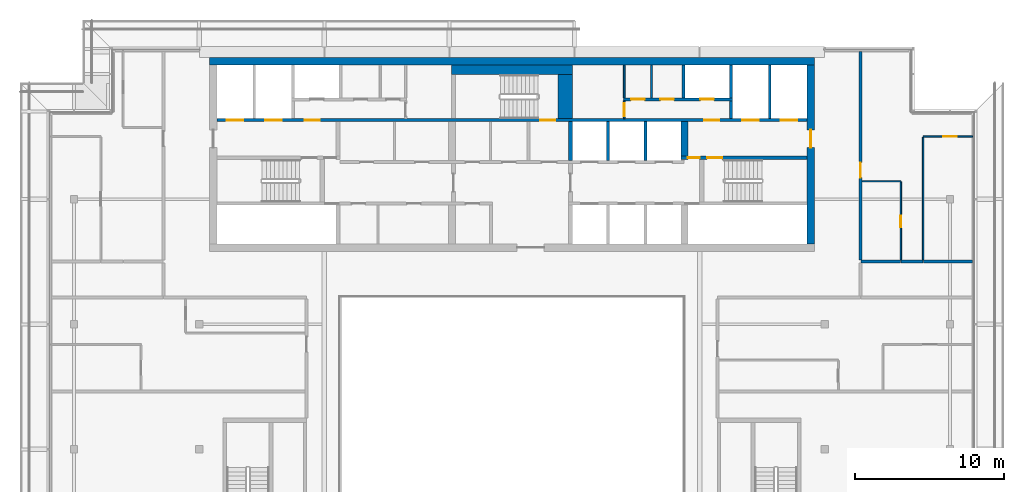
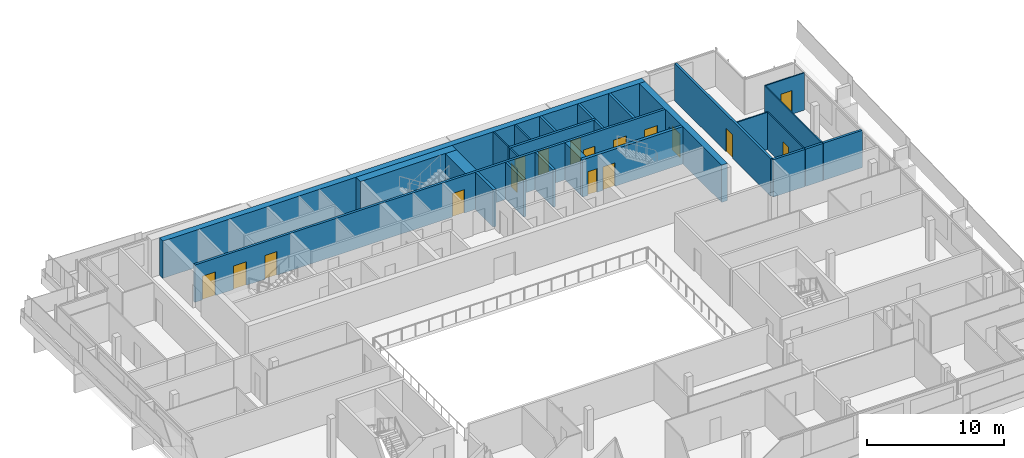
# One storey, part 20 of 26: 26 walls, 17 doors, 17 openings.
"""IFC4 building model written with IfcOpenShell, lengths in metres."""

from ifc_helpers import new_model, si_unit, direction, frame, frame_2d, origin, place, context, subcontext, project, spatial, rectangle, extrude, material, layer, layer_set, type_object, element, fill, save


model = new_model("IFC4")

# Units and contexts
model_context = context("Model", 3, precision=1e-05, world=origin(), true_north=direction((0.0, 1.0)))
body_context = subcontext(model_context, "Body", "Model", "MODEL_VIEW")
ifc_project = project(units=[si_unit("LENGTHUNIT", "METRE"), si_unit("AREAUNIT", "SQUARE_METRE"), si_unit("VOLUMEUNIT", "CUBIC_METRE"), si_unit("PLANEANGLEUNIT", "RADIAN"), si_unit("MASSUNIT", "GRAM", prefix="KILO")], contexts=[model_context])

# Site, building, storey
site_placement = place(None, origin())
site = spatial("IfcSite", under=ifc_project, at=site_placement, CompositionType="ELEMENT")
building_placement = place(site_placement, origin())
building = spatial("IfcBuilding", under=site, at=building_placement, Name="Saffron Gate Tower", CompositionType="ELEMENT")
storey_placement = place(building_placement, frame((0.0, 0.0, 277.949951171875)))
storey = spatial("IfcBuildingStorey", under=building, at=storey_placement, Name="L67", CompositionType="ELEMENT", Elevation=277.949951171875)

# Wall
ifc_material_1 = material(Name="Concrete C50", Category="concrete")
ifc_layer_1 = layer(ifc_material_1, 0.5)
ifc_layer_set_1 = layer_set([ifc_layer_1], Name="CW22 RC core wall 500 C50")
wall_type_1 = type_object("IfcWallType", Name="CW22 RC core wall 500 C50", PredefinedType="SOLIDWALL", material=ifc_layer_set_1)
wall_1_placement = place(storey_placement, frame((67.300048828125, 74.64990234375, 0.0), z_axis=(0.0, 0.0, 1.0), x_axis=(1.0, 0.0, 0.0)))
element("IfcWall", 1, at=wall_1_placement, inside=storey, type_object=wall_type_1, Name="Wall CW22-L67-2", PredefinedType="SOLIDWALL", context=body_context, shape_type="SweptSolid", body=[
    extrude(rectangle(XDim=40.599853515625, YDim=0.5, at=frame_2d((20.2998046875, 0.0))), origin(), (0.0, 0.0, 1.0), 3.320068359375),
])

# Wall, opening, door
wall_2_placement = place(storey_placement, frame((107.64990234375, 62.39990234375, 0.0), z_axis=(0.0, 0.0, 1.0), x_axis=(0.0, 1.0, 0.0)))
wall_2 = element("IfcWall", 2, at=wall_2_placement, inside=storey, type_object=wall_type_1, Name="Wall CW22-L67-4", PredefinedType="SOLIDWALL", context=body_context, shape_type="SweptSolid", body=[
    extrude(rectangle(XDim=12.0, YDim=0.5, at=frame_2d((6.0, 0.0))), origin(), (0.0, 0.0, 1.0), 3.320068359375),
])
opening_1_placement = place(wall_2_placement, frame((6.449951171875, 0.0, 0.0)))
opening_1 = element("IfcOpeningElement", 3, at=opening_1_placement, cuts=wall_2, Name="Opening CR-08", PredefinedType="OPENING", context=body_context, shape_type="SweptSolid", body=[
    extrude(rectangle(XDim=1.199951171875, YDim=2.10009765625, at=frame_2d((0.60009765625, 1.050048828125))), frame((0.0, 0.260009765625, 0.0), z_axis=(0.0, -1.0, 0.0), x_axis=(1.0, 0.0, 0.0)), (0.0, 0.0, 1.0), 0.52001953125),
])
ifc_material_2 = material(Name="Steel fire door set", Category="steel")
door_type_1 = type_object("IfcDoorType", Name="CD7 Core entrance door 1200x2100 EI 120", OperationType="NOTDEFINED", PredefinedType="DOOR", material=ifc_material_2)
door_1_placement = place(opening_1_placement, origin())
door_1 = element("IfcDoor", 4, at=door_1_placement, inside=storey, type_object=door_type_1, Name="DOOR CR-08", OperationType="SINGLE_SWING_RIGHT", OverallHeight=2.10009765625, OverallWidth=1.199951171875, PredefinedType="DOOR", context=body_context, shape_type="SweptSolid", body=[
    extrude(rectangle(XDim=1.199951171875, YDim=2.10009765625, at=frame_2d((0.60009765625, 1.050048828125))), frame((0.0, 0.02490234375, 0.0), z_axis=(0.0, -1.0, 0.0), x_axis=(1.0, 0.0, 0.0)), (0.0, 0.0, 1.0), 0.050048828125),
])
fill(opening_1, door_1)

# Wall
ifc_layer_2 = layer(ifc_material_1, 0.25)
ifc_layer_set_2 = layer_set([ifc_layer_2], Name="CW23 RC core wall 250 C50")
wall_type_2 = type_object("IfcWallType", Name="CW23 RC core wall 250 C50", PredefinedType="SOLIDWALL", material=ifc_layer_set_2)
wall_3_placement = place(storey_placement, frame((91.52490234375, 68.0, 0.0), z_axis=(0.0, 0.0, 1.0), x_axis=(0.0, 1.0, 0.0)))
element("IfcWall", 5, at=wall_3_placement, inside=storey, type_object=wall_type_2, Name="Wall CW23-L67-24", PredefinedType="SOLIDWALL", context=body_context, shape_type="SweptSolid", body=[
    extrude(rectangle(XDim=2.60009765625, YDim=0.25, at=frame_2d((1.300048828125, 0.0))), origin(), (0.0, 0.0, 1.0), 3.320068359375),
])

# Wall, openings, doors
wall_4_placement = place(storey_placement, frame((98.949951171875, 68.175048828125, 0.0), z_axis=(0.0, 0.0, 1.0), x_axis=(1.0, 0.0, 0.0)))
wall_4 = element("IfcWall", 6, at=wall_4_placement, inside=storey, type_object=wall_type_2, Name="Wall CW23-L67-29", PredefinedType="SOLIDWALL", context=body_context, shape_type="SweptSolid", body=[
    extrude(rectangle(XDim=8.449951171875, YDim=0.25, at=frame_2d((4.22509765625, 0.0))), origin(), (0.0, 0.0, 1.0), 3.320068359375),
])
opening_2_placement = place(wall_4_placement, frame((0.449951171875, 0.0, 0.0)))
opening_2 = element("IfcOpeningElement", 7, at=opening_2_placement, cuts=wall_4, Name="Opening CR-05", PredefinedType="OPENING", context=body_context, shape_type="SweptSolid", body=[
    extrude(rectangle(XDim=0.800048828125, YDim=2.10009765625, at=frame_2d((0.39990234375, 1.050048828125))), frame((0.0, 0.135009765625, 0.0), z_axis=(0.0, -1.0, 0.0), x_axis=(1.0, 0.0, 0.0)), (0.0, 0.0, 1.0), 0.27001953125),
])
opening_3_placement = place(wall_4_placement, frame((1.75, 0.0, 0.0)))
opening_3 = element("IfcOpeningElement", 8, at=opening_3_placement, cuts=wall_4, Name="Opening CR-16", PredefinedType="OPENING", context=body_context, shape_type="SweptSolid", body=[
    extrude(rectangle(XDim=1.0, YDim=2.10009765625, at=frame_2d((0.5, 1.050048828125))), frame((0.0, 0.135009765625, 0.0), z_axis=(0.0, -1.0, 0.0), x_axis=(1.0, 0.0, 0.0)), (0.0, 0.0, 1.0), 0.27001953125),
])
door_type_2 = type_object("IfcDoorType", Name="CD5 Stair door 1000x2100 EI 120", OperationType="NOTDEFINED", PredefinedType="DOOR", material=ifc_material_2)
door_2_placement = place(opening_3_placement, origin())
door_2 = element("IfcDoor", 9, at=door_2_placement, inside=storey, type_object=door_type_2, Name="DOOR CR-16", OperationType="SINGLE_SWING_RIGHT", OverallHeight=2.10009765625, OverallWidth=1.0, PredefinedType="DOOR", context=body_context, shape_type="SweptSolid", body=[
    extrude(rectangle(XDim=1.0, YDim=2.10009765625, at=frame_2d((0.5, 1.050048828125))), frame((0.0, 0.02490234375, 0.0), z_axis=(0.0, -1.0, 0.0), x_axis=(1.0, 0.0, 0.0)), (0.0, 0.0, 1.0), 0.050048828125),
])
fill(opening_3, door_2)
door_type_3 = type_object("IfcDoorType", Name="CD6 Lobby door 800x2100 EI 120", OperationType="NOTDEFINED", PredefinedType="DOOR", material=ifc_material_2)
door_3_placement = place(opening_2_placement, origin())
door_3 = element("IfcDoor", 10, at=door_3_placement, inside=storey, type_object=door_type_3, Name="DOOR CR-05", OperationType="SINGLE_SWING_LEFT", OverallHeight=2.10009765625, OverallWidth=0.800048828125, PredefinedType="DOOR", context=body_context, shape_type="SweptSolid", body=[
    extrude(rectangle(XDim=0.800048828125, YDim=2.10009765625, at=frame_2d((0.39990234375, 1.050048828125))), frame((0.0, 0.02490234375, 0.0), z_axis=(0.0, -1.0, 0.0), x_axis=(1.0, 0.0, 0.0)), (0.0, 0.0, 1.0), 0.050048828125),
])
fill(opening_2, door_3)

# Walls
ifc_layer_3 = layer(ifc_material_1, 0.449951171875)
ifc_layer_set_3 = layer_set([ifc_layer_3], Name="CW24 RC core wall 450 C50")
wall_type_3 = type_object("IfcWallType", Name="CW24 RC core wall 450 C50", PredefinedType="SOLIDWALL", material=ifc_layer_set_3)
wall_5_placement = place(storey_placement, frame((99.175048828125, 68.300048828125, 0.0), z_axis=(0.0, 0.0, 1.0), x_axis=(0.0, 1.0, 0.0)))
element("IfcWall", 11, at=wall_5_placement, inside=storey, type_object=wall_type_3, Name="Wall CW24-L67-31", PredefinedType="SOLIDWALL", context=body_context, shape_type="SweptSolid", body=[
    extrude(rectangle(XDim=2.300048828125, YDim=0.449951171875, at=frame_2d((1.14990234375, 0.0))), origin(), (0.0, 0.0, 1.0), 3.320068359375),
])
ifc_layer_4 = layer(ifc_material_1, 0.199951171875)
ifc_layer_set_4 = layer_set([ifc_layer_4], Name="CW25 RC core wall 200 C50")
wall_type_4 = type_object("IfcWallType", Name="CW25 RC core wall 200 C50", PredefinedType="SOLIDWALL", material=ifc_layer_set_4)
for number, where, z_axis, x_axis, name in (
    (12, (94.050048828125, 68.0, 0.0), (0.0, 0.0, 1.0), (0.0, 1.0, 0.0), "Wall CW25-L67-25"),
    (13, (96.550048828125, 68.0, 0.0), (0.0, 0.0, 1.0), (0.0, 1.0, 0.0), "Wall CW25-L67-26"),
):
    element("IfcWall", number, at=place(storey_placement, frame(where, z_axis=z_axis, x_axis=x_axis)), inside=storey, type_object=wall_type_4, Name=name, PredefinedType="SOLIDWALL", context=body_context, shape_type="SweptSolid", body=[
        extrude(rectangle(XDim=2.60009765625, YDim=0.199951171875, at=frame_2d((1.300048828125, 0.0))), origin(), (0.0, 0.0, 1.0), 3.320068359375),
    ])

# Wall, openings, doors
wall_6_placement = place(storey_placement, frame((67.800048828125, 70.699951171875, 0.0), z_axis=(0.0, 0.0, 1.0), x_axis=(1.0, 0.0, 0.0)))
wall_6 = element("IfcWall", 14, at=wall_6_placement, inside=storey, type_object=wall_type_4, Name="Wall CW25-L67-32", PredefinedType="SOLIDWALL", context=body_context, shape_type="SweptSolid", body=[
    extrude(rectangle(XDim=39.599853515625, YDim=0.199951171875, at=frame_2d((19.7998046875, 0.0))), origin(), (0.0, 0.0, 1.0), 3.320068359375),
])
opening_4_placement = place(wall_6_placement, frame((0.64990234375, 0.0, 0.0)))
opening_4 = element("IfcOpeningElement", 15, at=opening_4_placement, cuts=wall_6, Name="Opening LD-FF1", PredefinedType="OPENING", context=body_context, shape_type="SweptSolid", body=[
    extrude(rectangle(XDim=1.10009765625, YDim=2.10009765625, at=frame_2d((0.550048828125, 1.050048828125))), frame((0.0, 0.10986328125, 0.0), z_axis=(0.0, -1.0, 0.0), x_axis=(1.0, 0.0, 0.0)), (0.0, 0.0, 1.0), 0.219970703125),
])
opening_5_placement = place(wall_6_placement, frame((3.25, 0.0, 0.0)))
opening_5 = element("IfcOpeningElement", 16, at=opening_5_placement, cuts=wall_6, Name="Opening LD-SV1", PredefinedType="OPENING", context=body_context, shape_type="SweptSolid", body=[
    extrude(rectangle(XDim=1.10009765625, YDim=2.10009765625, at=frame_2d((0.550048828125, 1.050048828125))), frame((0.0, 0.10986328125, 0.0), z_axis=(0.0, -1.0, 0.0), x_axis=(1.0, 0.0, 0.0)), (0.0, 0.0, 1.0), 0.219970703125),
])
opening_6_placement = place(wall_6_placement, frame((5.89990234375, 0.0, 0.0)))
opening_6 = element("IfcOpeningElement", 17, at=opening_6_placement, cuts=wall_6, Name="Opening CR-03", PredefinedType="OPENING", context=body_context, shape_type="SweptSolid", body=[
    extrude(rectangle(XDim=1.0, YDim=2.10009765625, at=frame_2d((0.5, 1.050048828125))), frame((0.0, 0.10986328125, 0.0), z_axis=(0.0, -1.0, 0.0), x_axis=(1.0, 0.0, 0.0)), (0.0, 0.0, 1.0), 0.219970703125),
])
opening_7_placement = place(wall_6_placement, frame((21.699951171875, 0.0, 0.0)))
opening_7 = element("IfcOpeningElement", 18, at=opening_7_placement, cuts=wall_6, Name="Opening CR-17", PredefinedType="OPENING", context=body_context, shape_type="SweptSolid", body=[
    extrude(rectangle(XDim=1.0, YDim=2.10009765625, at=frame_2d((0.5, 1.050048828125))), frame((0.0, 0.10986328125, 0.0), z_axis=(0.0, -1.0, 0.0), x_axis=(1.0, 0.0, 0.0)), (0.0, 0.0, 1.0), 0.219970703125),
])
opening_8_placement = place(wall_6_placement, frame((32.699951171875, 0.0, 0.0)))
opening_8 = element("IfcOpeningElement", 19, at=opening_8_placement, cuts=wall_6, Name="Opening CR-04", PredefinedType="OPENING", context=body_context, shape_type="SweptSolid", body=[
    extrude(rectangle(XDim=1.0, YDim=2.10009765625, at=frame_2d((0.5, 1.050048828125))), frame((0.0, 0.10986328125, 0.0), z_axis=(0.0, -1.0, 0.0), x_axis=(1.0, 0.0, 0.0)), (0.0, 0.0, 1.0), 0.219970703125),
])
opening_9_placement = place(wall_6_placement, frame((35.25, 0.0, 0.0)))
opening_9 = element("IfcOpeningElement", 20, at=opening_9_placement, cuts=wall_6, Name="Opening LD-SV2", PredefinedType="OPENING", context=body_context, shape_type="SweptSolid", body=[
    extrude(rectangle(XDim=1.10009765625, YDim=2.10009765625, at=frame_2d((0.550048828125, 1.050048828125))), frame((0.0, 0.10986328125, 0.0), z_axis=(0.0, -1.0, 0.0), x_axis=(1.0, 0.0, 0.0)), (0.0, 0.0, 1.0), 0.219970703125),
])
opening_10_placement = place(wall_6_placement, frame((37.85009765625, 0.0, 0.0)))
opening_10 = element("IfcOpeningElement", 21, at=opening_10_placement, cuts=wall_6, Name="Opening LD-FF2", PredefinedType="OPENING", context=body_context, shape_type="SweptSolid", body=[
    extrude(rectangle(XDim=1.10009765625, YDim=2.10009765625, at=frame_2d((0.550048828125, 1.050048828125))), frame((0.0, 0.10986328125, 0.0), z_axis=(0.0, -1.0, 0.0), x_axis=(1.0, 0.0, 0.0)), (0.0, 0.0, 1.0), 0.219970703125),
])
door_type_4 = type_object("IfcDoorType", Name="CD4 Lobby door 1000x2100 EI 120", OperationType="NOTDEFINED", PredefinedType="DOOR", material=ifc_material_2)
door_4_placement = place(opening_6_placement, origin())
door_4 = element("IfcDoor", 22, at=door_4_placement, inside=storey, type_object=door_type_4, Name="DOOR CR-03", OperationType="SINGLE_SWING_LEFT", OverallHeight=2.10009765625, OverallWidth=1.0, PredefinedType="DOOR", context=body_context, shape_type="SweptSolid", body=[
    extrude(rectangle(XDim=1.0, YDim=2.10009765625, at=frame_2d((0.5, 1.050048828125))), frame((0.0, 0.02490234375, 0.0), z_axis=(0.0, -1.0, 0.0), x_axis=(1.0, 0.0, 0.0)), (0.0, 0.0, 1.0), 0.050048828125),
])
fill(opening_6, door_4)
door_5_placement = place(opening_8_placement, origin())
door_5 = element("IfcDoor", 23, at=door_5_placement, inside=storey, type_object=door_type_4, Name="DOOR CR-04", OperationType="SINGLE_SWING_RIGHT", OverallHeight=2.10009765625, OverallWidth=1.0, PredefinedType="DOOR", context=body_context, shape_type="SweptSolid", body=[
    extrude(rectangle(XDim=1.0, YDim=2.10009765625, at=frame_2d((0.5, 1.050048828125))), frame((0.0, 0.02490234375, 0.0), z_axis=(0.0, -1.0, 0.0), x_axis=(1.0, 0.0, 0.0)), (0.0, 0.0, 1.0), 0.050048828125),
])
fill(opening_8, door_5)
door_6_placement = place(opening_7_placement, origin())
door_6 = element("IfcDoor", 24, at=door_6_placement, inside=storey, type_object=door_type_2, Name="DOOR CR-17", OperationType="SINGLE_SWING_RIGHT", OverallHeight=2.10009765625, OverallWidth=1.0, PredefinedType="DOOR", context=body_context, shape_type="SweptSolid", body=[
    extrude(rectangle(XDim=1.0, YDim=2.10009765625, at=frame_2d((0.5, 1.050048828125))), frame((0.0, 0.02490234375, 0.0), z_axis=(0.0, -1.0, 0.0), x_axis=(1.0, 0.0, 0.0)), (0.0, 0.0, 1.0), 0.050048828125),
])
fill(opening_7, door_6)
ifc_material_3 = material(Name="Stainless steel landing door", Category="steel")
door_type_5 = type_object("IfcDoorType", Name="LD Lift landing door 1100x2100 EI 120", OperationType="SLIDING_TO_LEFT", PredefinedType="DOOR", material=ifc_material_3)
door_7_placement = place(opening_4_placement, origin())
door_7 = element("IfcDoor", 25, at=door_7_placement, inside=storey, type_object=door_type_5, Name="LANDING DOOR LD-FF1", OperationType="SLIDING_TO_RIGHT", OverallHeight=2.10009765625, OverallWidth=1.10009765625, PredefinedType="DOOR", context=body_context, shape_type="SweptSolid", body=[
    extrude(rectangle(XDim=1.10009765625, YDim=2.10009765625, at=frame_2d((0.550048828125, 1.050048828125))), frame((0.0, 0.02490234375, 0.0), z_axis=(0.0, -1.0, 0.0), x_axis=(1.0, 0.0, 0.0)), (0.0, 0.0, 1.0), 0.050048828125),
])
fill(opening_4, door_7)
door_8_placement = place(opening_5_placement, origin())
door_8 = element("IfcDoor", 26, at=door_8_placement, inside=storey, type_object=door_type_5, Name="LANDING DOOR LD-SV1", OperationType="SLIDING_TO_RIGHT", OverallHeight=2.10009765625, OverallWidth=1.10009765625, PredefinedType="DOOR", context=body_context, shape_type="SweptSolid", body=[
    extrude(rectangle(XDim=1.10009765625, YDim=2.10009765625, at=frame_2d((0.550048828125, 1.050048828125))), frame((0.0, 0.02490234375, 0.0), z_axis=(0.0, -1.0, 0.0), x_axis=(1.0, 0.0, 0.0)), (0.0, 0.0, 1.0), 0.050048828125),
])
fill(opening_5, door_8)
door_9_placement = place(opening_9_placement, origin())
door_9 = element("IfcDoor", 27, at=door_9_placement, inside=storey, type_object=door_type_5, Name="LANDING DOOR LD-SV2", OperationType="SLIDING_TO_RIGHT", OverallHeight=2.10009765625, OverallWidth=1.10009765625, PredefinedType="DOOR", context=body_context, shape_type="SweptSolid", body=[
    extrude(rectangle(XDim=1.10009765625, YDim=2.10009765625, at=frame_2d((0.550048828125, 1.050048828125))), frame((0.0, 0.02490234375, 0.0), z_axis=(0.0, -1.0, 0.0), x_axis=(1.0, 0.0, 0.0)), (0.0, 0.0, 1.0), 0.050048828125),
])
fill(opening_9, door_9)
door_10_placement = place(opening_10_placement, origin())
door_10 = element("IfcDoor", 28, at=door_10_placement, inside=storey, type_object=door_type_5, Name="LANDING DOOR LD-FF2", OperationType="SLIDING_TO_RIGHT", OverallHeight=2.10009765625, OverallWidth=1.10009765625, PredefinedType="DOOR", context=body_context, shape_type="SweptSolid", body=[
    extrude(rectangle(XDim=1.10009765625, YDim=2.10009765625, at=frame_2d((0.550048828125, 1.050048828125))), frame((0.0, 0.02490234375, 0.0), z_axis=(0.0, -1.0, 0.0), x_axis=(1.0, 0.0, 0.0)), (0.0, 0.0, 1.0), 0.050048828125),
])
fill(opening_10, door_10)

# Walls
wall_7_placement = place(storey_placement, frame((102.300048828125, 70.800048828125, 0.0), z_axis=(0.0, 0.0, 1.0), x_axis=(0.0, 1.0, 0.0)))
element("IfcWall", 29, at=wall_7_placement, inside=storey, type_object=wall_type_4, Name="Wall CW25-L67-39", PredefinedType="SOLIDWALL", context=body_context, shape_type="SweptSolid", body=[
    extrude(rectangle(XDim=1.199951171875, YDim=0.199951171875, at=frame_2d((0.60009765625, 0.0))), origin(), (0.0, 0.0, 1.0), 3.320068359375),
])
wall_8_placement = place(storey_placement, frame((104.89990234375, 70.800048828125, 0.0), z_axis=(0.0, 0.0, 1.0), x_axis=(0.0, 1.0, 0.0)))
element("IfcWall", 30, at=wall_8_placement, inside=storey, type_object=wall_type_4, Name="Wall CW25-L67-40", PredefinedType="SOLIDWALL", context=body_context, shape_type="SweptSolid", body=[
    extrude(rectangle(XDim=3.599853515625, YDim=0.199951171875, at=frame_2d((1.7998046875, 0.0))), origin(), (0.0, 0.0, 1.0), 3.320068359375),
])

# Wall, openings, doors
wall_9_placement = place(storey_placement, frame((95.080078125, 72.10009765625, 0.0), z_axis=(0.0, 0.0, 1.0), x_axis=(1.0, 0.0, 0.0)))
wall_9 = element("IfcWall", 31, at=wall_9_placement, inside=storey, type_object=wall_type_4, Name="Wall CW25-L67-42", PredefinedType="SOLIDWALL", context=body_context, shape_type="SweptSolid", body=[
    extrude(rectangle(XDim=7.31982421875, YDim=0.199951171875, at=frame_2d((3.659912109375, 0.0))), origin(), (0.0, 0.0, 1.0), 3.320068359375),
])
opening_11_placement = place(wall_9_placement, frame((0.52001953125, 0.0, 0.0)))
opening_11 = element("IfcOpeningElement", 32, at=opening_11_placement, cuts=wall_9, Name="Opening CR-50", PredefinedType="OPENING", context=body_context, shape_type="SweptSolid", body=[
    extrude(rectangle(XDim=0.89990234375, YDim=2.10009765625, at=frame_2d((0.449951171875, 1.050048828125))), frame((0.0, 0.10986328125, 0.0), z_axis=(0.0, -1.0, 0.0), x_axis=(1.0, 0.0, 0.0)), (0.0, 0.0, 1.0), 0.219970703125),
])
opening_12_placement = place(wall_9_placement, frame((2.47998046875, 0.0, 0.0)))
opening_12 = element("IfcOpeningElement", 33, at=opening_12_placement, cuts=wall_9, Name="Opening CR-53", PredefinedType="OPENING", context=body_context, shape_type="SweptSolid", body=[
    extrude(rectangle(XDim=0.89990234375, YDim=2.10009765625, at=frame_2d((0.449951171875, 1.050048828125))), frame((0.0, 0.10986328125, 0.0), z_axis=(0.0, -1.0, 0.0), x_axis=(1.0, 0.0, 0.0)), (0.0, 0.0, 1.0), 0.219970703125),
])
opening_13_placement = place(wall_9_placement, frame((5.169921875, 0.0, 0.0)))
opening_13 = element("IfcOpeningElement", 34, at=opening_13_placement, cuts=wall_9, Name="Opening CR-70", PredefinedType="OPENING", context=body_context, shape_type="SweptSolid", body=[
    extrude(rectangle(XDim=0.89990234375, YDim=2.10009765625, at=frame_2d((0.449951171875, 1.050048828125))), frame((0.0, 0.10986328125, 0.0), z_axis=(0.0, -1.0, 0.0), x_axis=(1.0, 0.0, 0.0)), (0.0, 0.0, 1.0), 0.219970703125),
])
door_type_6 = type_object("IfcDoorType", Name="CD2 Riser door 900x2100 EI 60", OperationType="NOTDEFINED", PredefinedType="DOOR", material=ifc_material_2)
door_11_placement = place(opening_13_placement, origin())
door_11 = element("IfcDoor", 35, at=door_11_placement, inside=storey, type_object=door_type_6, Name="DOOR CR-70", OperationType="SINGLE_SWING_LEFT", OverallHeight=2.10009765625, OverallWidth=0.89990234375, PredefinedType="DOOR", context=body_context, shape_type="SweptSolid", body=[
    extrude(rectangle(XDim=0.89990234375, YDim=2.10009765625, at=frame_2d((0.449951171875, 1.050048828125))), frame((0.0, 0.02490234375, 0.0), z_axis=(0.0, -1.0, 0.0), x_axis=(1.0, 0.0, 0.0)), (0.0, 0.0, 1.0), 0.050048828125),
])
fill(opening_13, door_11)
door_type_7 = type_object("IfcDoorType", Name="CD9 Room door 900x2100 EI 60", OperationType="NOTDEFINED", PredefinedType="DOOR", material=ifc_material_2)
door_12_placement = place(opening_11_placement, origin())
door_12 = element("IfcDoor", 36, at=door_12_placement, inside=storey, type_object=door_type_7, Name="DOOR CR-50", OperationType="SINGLE_SWING_LEFT", OverallHeight=2.10009765625, OverallWidth=0.89990234375, PredefinedType="DOOR", context=body_context, shape_type="SweptSolid", body=[
    extrude(rectangle(XDim=0.89990234375, YDim=2.10009765625, at=frame_2d((0.449951171875, 1.050048828125))), frame((0.0, 0.02490234375, 0.0), z_axis=(0.0, -1.0, 0.0), x_axis=(1.0, 0.0, 0.0)), (0.0, 0.0, 1.0), 0.050048828125),
])
fill(opening_11, door_12)
door_13_placement = place(opening_12_placement, origin())
door_13 = element("IfcDoor", 37, at=door_13_placement, inside=storey, type_object=door_type_7, Name="DOOR CR-53", OperationType="SINGLE_SWING_LEFT", OverallHeight=2.10009765625, OverallWidth=0.89990234375, PredefinedType="DOOR", context=body_context, shape_type="SweptSolid", body=[
    extrude(rectangle(XDim=0.89990234375, YDim=2.10009765625, at=frame_2d((0.449951171875, 1.050048828125))), frame((0.0, 0.02490234375, 0.0), z_axis=(0.0, -1.0, 0.0), x_axis=(1.0, 0.0, 0.0)), (0.0, 0.0, 1.0), 0.050048828125),
])
fill(opening_12, door_13)

# Walls
for number, where, z_axis, x_axis, name in (
    (38, (99.10009765625, 72.199951171875, 0.0), (0.0, 0.0, 1.0), (0.0, 1.0, 0.0), "Wall CW25-L67-49"),
    (39, (102.300048828125, 72.199951171875, 0.0), (0.0, 0.0, 1.0), (0.0, 1.0, 0.0), "Wall CW25-L67-50"),
):
    element("IfcWall", number, at=place(storey_placement, frame(where, z_axis=z_axis, x_axis=x_axis)), inside=storey, type_object=wall_type_4, Name=name, PredefinedType="SOLIDWALL", context=body_context, shape_type="SweptSolid", body=[
        extrude(rectangle(XDim=2.199951171875, YDim=0.199951171875, at=frame_2d((1.10009765625, 0.0))), origin(), (0.0, 0.0, 1.0), 3.320068359375),
    ])
ifc_layer_5 = layer(ifc_material_1, 0.949951171875)
ifc_layer_set_5 = layer_set([ifc_layer_5], Name="CW28 RC core wall 950 C50")
wall_type_5 = type_object("IfcWallType", Name="CW28 RC core wall 950 C50", PredefinedType="SOLIDWALL", material=ifc_layer_set_5)
wall_10_placement = place(storey_placement, frame((91.175048828125, 70.800048828125, 0.0), z_axis=(0.0, 0.0, 1.0), x_axis=(0.0, 1.0, 0.0)))
element("IfcWall", 40, at=wall_10_placement, inside=storey, type_object=wall_type_5, Name="Wall CW28-L67-37", PredefinedType="SOLIDWALL", context=body_context, shape_type="SweptSolid", body=[
    extrude(rectangle(XDim=2.949951171875, YDim=0.949951171875, at=frame_2d((1.47509765625, 0.0))), origin(), (0.0, 0.0, 1.0), 3.320068359375),
])
ifc_layer_6 = layer(ifc_material_1, 0.64990234375)
ifc_layer_set_6 = layer_set([ifc_layer_6], Name="CW29 RC core wall 650 C50")
wall_type_6 = type_object("IfcWallType", Name="CW29 RC core wall 650 C50", PredefinedType="SOLIDWALL", material=ifc_layer_set_6)
wall_11_placement = place(storey_placement, frame((83.550048828125, 74.074951171875, 0.0), z_axis=(0.0, 0.0, 1.0), x_axis=(1.0, 0.0, 0.0)))
element("IfcWall", 41, at=wall_11_placement, inside=storey, type_object=wall_type_6, Name="Wall CW29-L67-51", PredefinedType="SOLIDWALL", context=body_context, shape_type="SweptSolid", body=[
    extrude(rectangle(XDim=8.099853515625, YDim=0.64990234375, at=frame_2d((4.0498046875, 0.0))), origin(), (0.0, 0.0, 1.0), 3.320068359375),
])

# Wall, opening, door
ifc_material_4 = material(Name="Gypsum board partition on steel studs", Category="steel")
ifc_layer_7 = layer(ifc_material_4, 0.1201171875)
ifc_layer_set_7 = layer_set([ifc_layer_7], Name="CW8 Core partition 120")
wall_type_7 = type_object("IfcWallType", Name="CW8 Core partition 120", PredefinedType="PARTITIONING", material=ifc_layer_set_7)
wall_12_placement = place(storey_placement, frame((95.139892578125, 70.800048828125, 0.0), z_axis=(0.0, 0.0, 1.0), x_axis=(0.0, 1.0, 0.0)))
wall_12 = element("IfcWall", 42, at=wall_12_placement, inside=storey, type_object=wall_type_7, Name="Wall CW8-L67-38", PredefinedType="PARTITIONING", context=body_context, shape_type="SweptSolid", body=[
    extrude(rectangle(XDim=1.199951171875, YDim=0.1201171875, at=frame_2d((0.60009765625, 0.0))), origin(), (0.0, 0.0, 1.0), 3.320068359375),
])
opening_14_placement = place(wall_12_placement, frame((0.14990234375, 0.0, 0.0)))
opening_14 = element("IfcOpeningElement", 43, at=opening_14_placement, cuts=wall_12, Name="Opening CR-54", PredefinedType="OPENING", context=body_context, shape_type="SweptSolid", body=[
    extrude(rectangle(XDim=0.89990234375, YDim=2.10009765625, at=frame_2d((0.449951171875, 1.050048828125))), frame((0.0, 0.070068359375, 0.0), z_axis=(0.0, -1.0, 0.0), x_axis=(1.0, 0.0, 0.0)), (0.0, 0.0, 1.0), 0.14013671875),
])
door_14_placement = place(opening_14_placement, origin())
door_14 = element("IfcDoor", 44, at=door_14_placement, inside=storey, type_object=door_type_7, Name="DOOR CR-54", OperationType="SINGLE_SWING_LEFT", OverallHeight=2.10009765625, OverallWidth=0.89990234375, PredefinedType="DOOR", context=body_context, shape_type="SweptSolid", body=[
    extrude(rectangle(XDim=0.89990234375, YDim=2.10009765625, at=frame_2d((0.449951171875, 1.050048828125))), frame((0.0, 0.02490234375, 0.0), z_axis=(0.0, -1.0, 0.0), x_axis=(1.0, 0.0, 0.0)), (0.0, 0.0, 1.0), 0.050048828125),
])
fill(opening_14, door_14)

# Walls
for number, where, z_axis, x_axis, name in (
    (45, (95.139892578125, 72.199951171875, 0.0), (0.0, 0.0, 1.0), (0.0, 1.0, 0.0), "Wall CW8-L67-47"),
    (46, (96.9599609375, 72.199951171875, 0.0), (0.0, 0.0, 1.0), (0.0, 1.0, 0.0), "Wall CW8-L67-48"),
):
    element("IfcWall", number, at=place(storey_placement, frame(where, z_axis=z_axis, x_axis=x_axis)), inside=storey, type_object=wall_type_7, Name=name, PredefinedType="PARTITIONING", context=body_context, shape_type="SweptSolid", body=[
        extrude(rectangle(XDim=2.199951171875, YDim=0.1201171875, at=frame_2d((1.10009765625, 0.0))), origin(), (0.0, 0.0, 1.0), 3.320068359375),
    ])
ifc_material_5 = material(Name="Plasterboard on steel studs", Category="steel")
ifc_layer_8 = layer(ifc_material_5, 0.10009765625)
ifc_layer_set_8 = layer_set([ifc_layer_8], Name="PW1 Partition 100")
wall_type_8 = type_object("IfcWallType", Name="PW1 Partition 100", PredefinedType="PARTITIONING", material=ifc_layer_set_8)
wall_13_placement = place(storey_placement, frame((111.10009765625, 66.60009765625, 0.0), z_axis=(0.0, 0.0, 1.0), x_axis=(1.0, 0.0, 0.0)))
element("IfcWall", 47, at=wall_13_placement, inside=storey, type_object=wall_type_8, Name="Partition E3-28", PredefinedType="PARTITIONING", context=body_context, shape_type="SweptSolid", body=[
    extrude(rectangle(XDim=2.599853515625, YDim=0.10009765625, at=frame_2d((1.2998046875, 0.0))), origin(), (0.0, 0.0, 1.0), 3.320068359375),
])

# Wall, opening, door
wall_14_placement = place(storey_placement, frame((118.52001953125, 69.60009765625, 0.0), z_axis=(0.0, 0.0, 1.0), x_axis=(-1.0, 0.0, 0.0)))
wall_14 = element("IfcWall", 48, at=wall_14_placement, inside=storey, type_object=wall_type_8, Name="Partition E3-30", PredefinedType="PARTITIONING", context=body_context, shape_type="SweptSolid", body=[
    extrude(rectangle(XDim=3.320068359375, YDim=0.10009765625, at=frame_2d((1.66015625, 0.0))), origin(), (0.0, 0.0, 1.0), 3.320068359375),
])
opening_15_placement = place(wall_14_placement, frame((1.070068359375, 0.0, 0.0)))
opening_15 = element("IfcOpeningElement", 49, at=opening_15_placement, cuts=wall_14, Name="Opening E3-21", PredefinedType="OPENING", context=body_context, shape_type="SweptSolid", body=[
    extrude(rectangle(XDim=0.89990234375, YDim=2.10009765625, at=frame_2d((0.449951171875, 1.050048828125))), frame((0.0, 0.06005859375, 0.0), z_axis=(0.0, -1.0, 0.0), x_axis=(1.0, 0.0, 0.0)), (0.0, 0.0, 1.0), 0.1201171875),
])
ifc_material_6 = material(Name="Timber door set", Category="wood")
door_type_8 = type_object("IfcDoorType", Name="RD1 Room door 900x2100", OperationType="NOTDEFINED", PredefinedType="DOOR", material=ifc_material_6)
door_15_placement = place(opening_15_placement, origin())
door_15 = element("IfcDoor", 50, at=door_15_placement, inside=storey, type_object=door_type_8, Name="Door E3-21", OperationType="SINGLE_SWING_LEFT", OverallHeight=2.10009765625, OverallWidth=0.89990234375, PredefinedType="DOOR", context=body_context, shape_type="SweptSolid", body=[
    extrude(rectangle(XDim=0.89990234375, YDim=2.10009765625, at=frame_2d((0.449951171875, 1.050048828125))), frame((0.0, 0.02490234375, 0.0), z_axis=(0.0, -1.0, 0.0), x_axis=(1.0, 0.0, 0.0)), (0.0, 0.0, 1.0), 0.050048828125),
])
fill(opening_15, door_15)

wall_15_placement = place(storey_placement, frame((113.699951171875, 61.300048828125, 0.0), z_axis=(0.0, 0.0, 1.0), x_axis=(0.0, 1.0, 0.0)))
wall_15 = element("IfcWall", 51, at=wall_15_placement, inside=storey, type_object=wall_type_8, Name="Partition E3-71", PredefinedType="PARTITIONING", context=body_context, shape_type="SweptSolid", body=[
    extrude(rectangle(XDim=5.25, YDim=0.10009765625, at=frame_2d((2.625, 0.0))), origin(), (0.0, 0.0, 1.0), 3.320068359375),
])
opening_16_placement = place(wall_15_placement, frame((2.199951171875, 0.0, 0.0)))
opening_16 = element("IfcOpeningElement", 52, at=opening_16_placement, cuts=wall_15, Name="Opening E3-31", PredefinedType="OPENING", context=body_context, shape_type="SweptSolid", body=[
    extrude(rectangle(XDim=0.800048828125, YDim=2.10009765625, at=frame_2d((0.39990234375, 1.050048828125))), frame((0.0, 0.06005859375, 0.0), z_axis=(0.0, -1.0, 0.0), x_axis=(1.0, 0.0, 0.0)), (0.0, 0.0, 1.0), 0.1201171875),
])
door_type_9 = type_object("IfcDoorType", Name="RD2 Bathroom door 800x2100", OperationType="NOTDEFINED", PredefinedType="DOOR", material=ifc_material_6)
door_16_placement = place(opening_16_placement, origin())
door_16 = element("IfcDoor", 53, at=door_16_placement, inside=storey, type_object=door_type_9, Name="Door E3-31", OperationType="SINGLE_SWING_LEFT", OverallHeight=2.10009765625, OverallWidth=0.800048828125, PredefinedType="DOOR", context=body_context, shape_type="SweptSolid", body=[
    extrude(rectangle(XDim=0.800048828125, YDim=2.10009765625, at=frame_2d((0.39990234375, 1.050048828125))), frame((0.0, 0.02490234375, 0.0), z_axis=(0.0, -1.0, 0.0), x_axis=(1.0, 0.0, 0.0)), (0.0, 0.0, 1.0), 0.050048828125),
])
fill(opening_16, door_16)

# Wall
wall_16_placement = place(storey_placement, frame((115.199951171875, 69.550048828125, 0.0), z_axis=(0.0, 0.0, 1.0), x_axis=(0.0, -1.0, 0.0)))
element("IfcWall", 54, at=wall_16_placement, inside=storey, type_object=wall_type_8, Name="Partition E3-72", PredefinedType="PARTITIONING", context=body_context, shape_type="SweptSolid", body=[
    extrude(rectangle(XDim=8.25, YDim=0.10009765625, at=frame_2d((4.125, 0.0))), origin(), (0.0, 0.0, 1.0), 3.320068359375),
])

# Wall, opening, door
ifc_material_7 = material(Name="Clay brick masonry, rendered", Category="masonry")
ifc_layer_9 = layer(ifc_material_7, 0.199951171875)
ifc_layer_set_9 = layer_set([ifc_layer_9], Name="PW3 Corridor wall 200")
wall_type_9 = type_object("IfcWallType", Name="PW3 Corridor wall 200", PredefinedType="PARTITIONING", material=ifc_layer_set_9)
wall_17_placement = place(storey_placement, frame((111.0, 75.320068359375, 0.0), z_axis=(0.0, 0.0, 1.0), x_axis=(0.0, -1.0, 0.0)))
wall_17 = element("IfcWall", 55, at=wall_17_placement, inside=storey, type_object=wall_type_9, Name="Wall E3-66", PredefinedType="PARTITIONING", context=body_context, shape_type="SweptSolid", body=[
    extrude(rectangle(XDim=14.02001953125, YDim=0.199951171875, at=frame_2d((7.010009765625, 0.0))), origin(), (0.0, 0.0, 1.0), 3.320068359375),
])
opening_17_placement = place(wall_17_placement, frame((7.469970703125, 0.0, 0.0)))
opening_17 = element("IfcOpeningElement", 56, at=opening_17_placement, cuts=wall_17, Name="Opening E3-7", PredefinedType="OPENING", context=body_context, shape_type="SweptSolid", body=[
    extrude(rectangle(XDim=1.0, YDim=2.10009765625, at=frame_2d((0.5, 1.050048828125))), frame((0.0, 0.10986328125, 0.0), z_axis=(0.0, -1.0, 0.0), x_axis=(1.0, 0.0, 0.0)), (0.0, 0.0, 1.0), 0.219970703125),
])
ifc_material_8 = material(Name="Timber fire door set", Category="wood")
door_type_10 = type_object("IfcDoorType", Name="FD1 Flat entry door 1000x2100", OperationType="NOTDEFINED", PredefinedType="DOOR", material=ifc_material_8)
door_17_placement = place(opening_17_placement, origin())
door_17 = element("IfcDoor", 57, at=door_17_placement, inside=storey, type_object=door_type_10, Name="Door E3-7", OperationType="SINGLE_SWING_RIGHT", OverallHeight=2.10009765625, OverallWidth=1.0, PredefinedType="DOOR", context=body_context, shape_type="SweptSolid", body=[
    extrude(rectangle(XDim=1.0, YDim=2.10009765625, at=frame_2d((0.5, 1.050048828125))), frame((0.0, 0.02490234375, 0.0), z_axis=(0.0, -1.0, 0.0), x_axis=(1.0, 0.0, 0.0)), (0.0, 0.0, 1.0), 0.050048828125),
])
fill(opening_17, door_17)

# Walls
ifc_layer_10 = layer(ifc_material_7, 0.199951171875)
ifc_layer_set_10 = layer_set([ifc_layer_10], Name="PW5 Room wall 200")
wall_type_10 = type_object("IfcWallType", Name="PW5 Room wall 200", PredefinedType="PARTITIONING", material=ifc_layer_set_10)
wall_18_placement = place(storey_placement, frame((111.02001953125, 61.199951171875, 0.0), z_axis=(0.0, 0.0, 1.0), x_axis=(1.0, 0.0, 0.0)))
element("IfcWall", 58, at=wall_18_placement, inside=storey, type_object=wall_type_10, Name="Wall E3-25", PredefinedType="PARTITIONING", context=body_context, shape_type="SweptSolid", body=[
    extrude(rectangle(XDim=2.659912109375, YDim=0.199951171875, at=frame_2d((1.330078125, 0.0))), origin(), (0.0, 0.0, 1.0), 3.320068359375),
])
wall_19_placement = place(storey_placement, frame((113.719970703125, 61.199951171875, 0.0), z_axis=(0.0, 0.0, 1.0), x_axis=(1.0, 0.0, 0.0)))
element("IfcWall", 59, at=wall_19_placement, inside=storey, type_object=wall_type_10, Name="Wall E3-26", PredefinedType="PARTITIONING", context=body_context, shape_type="SweptSolid", body=[
    extrude(rectangle(XDim=1.4599609375, YDim=0.199951171875, at=frame_2d((0.72998046875, 0.0))), origin(), (0.0, 0.0, 1.0), 3.320068359375),
])
wall_20_placement = place(storey_placement, frame((115.219970703125, 61.199951171875, 0.0), z_axis=(0.0, 0.0, 1.0), x_axis=(1.0, 0.0, 0.0)))
element("IfcWall", 60, at=wall_20_placement, inside=storey, type_object=wall_type_10, Name="Wall E3-27", PredefinedType="PARTITIONING", context=body_context, shape_type="SweptSolid", body=[
    extrude(rectangle(XDim=3.280029296875, YDim=0.199951171875, at=frame_2d((1.64013671875, 0.0))), origin(), (0.0, 0.0, 1.0), 3.320068359375),
])

save(model, "model.ifc")
